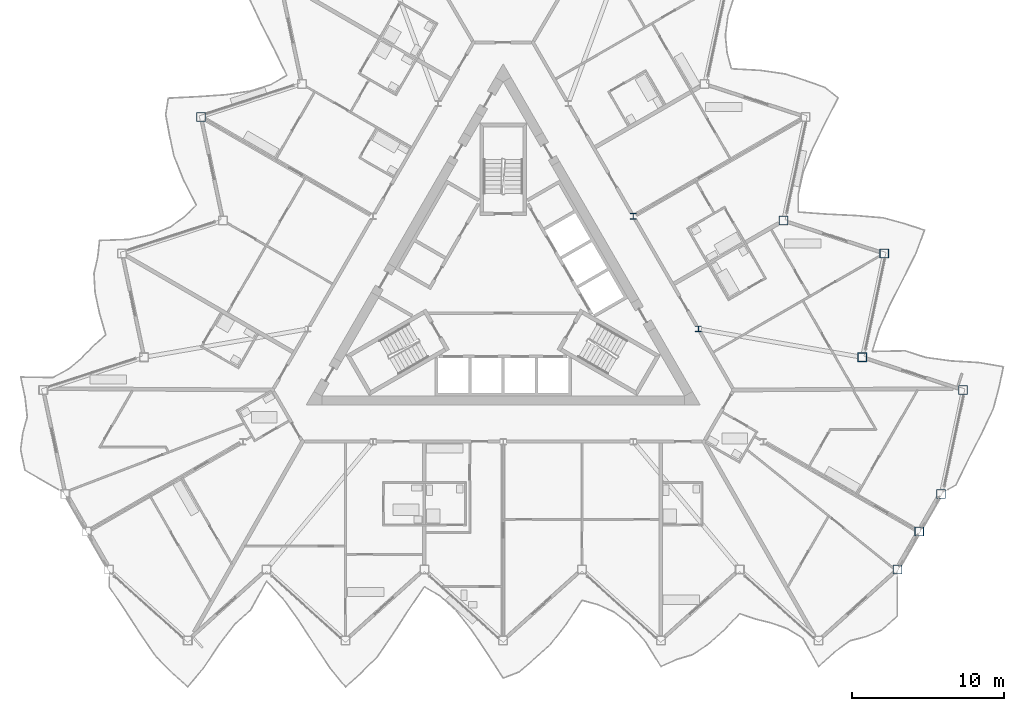
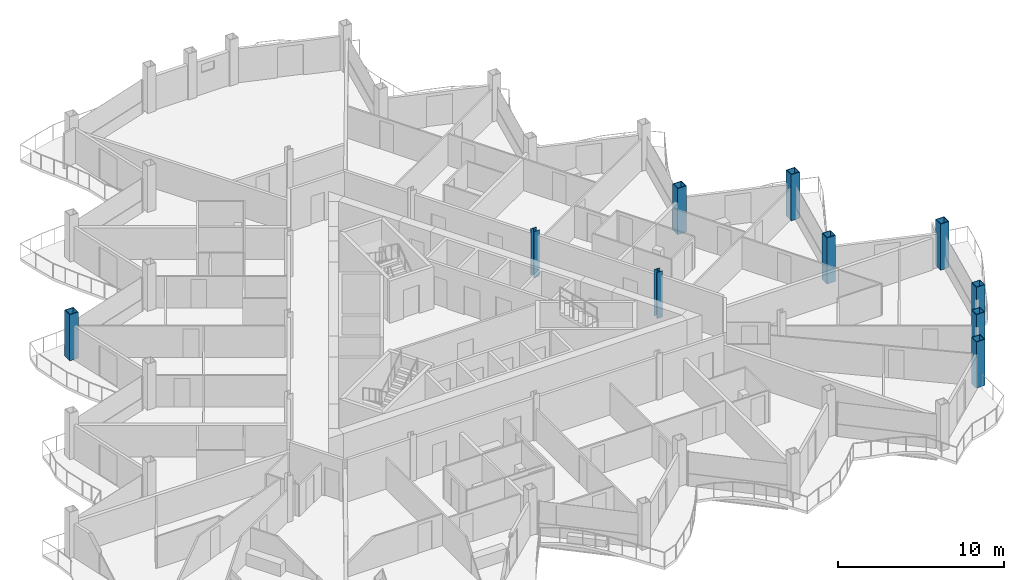
# One storey, part 2 of 26: 10 columns.
"""IFC4 building model written with IfcOpenShell, lengths in metres."""

from ifc_helpers import new_model, si_unit, direction, frame, origin, origin_2d, place, context, subcontext, project, spatial, hollow_rectangle, i_section, extrude, material, material_profile, profile_set, type_object, element, save


model = new_model("IFC4")

# Units and contexts
model_context = context("Model", 3, precision=1e-05, world=origin(), true_north=direction((0.0, 1.0)))
body_context = subcontext(model_context, "Body", "Model", "MODEL_VIEW")
ifc_project = project(units=[si_unit("LENGTHUNIT", "METRE"), si_unit("AREAUNIT", "SQUARE_METRE"), si_unit("VOLUMEUNIT", "CUBIC_METRE"), si_unit("PLANEANGLEUNIT", "RADIAN"), si_unit("MASSUNIT", "GRAM", prefix="KILO")], contexts=[model_context])

# Site, building, storey
site_placement = place(None, origin())
site = spatial("IfcSite", under=ifc_project, at=site_placement, CompositionType="ELEMENT")
building_placement = place(site_placement, origin())
building = spatial("IfcBuilding", under=site, at=building_placement, Name="Cormorant Prow Tower", CompositionType="ELEMENT")
storey_placement = place(building_placement, frame((0.0, 0.0, 342.60009765625)))
storey = spatial("IfcBuildingStorey", under=building, at=storey_placement, Name="L77", CompositionType="ELEMENT", Elevation=342.60009765625)

# Columns
ifc_material_1 = material(Name="Structural steel ASTM A572 Gr 50", Category="steel")
ifc_material_profile_1 = material_profile(ifc_material_1, hollow_rectangle(XDim=0.60009765625, YDim=0.60009765625, WallThickness=0.0400390625, at=origin_2d()), Name="Box 600x600x40")
ifc_profile_set_1 = profile_set([ifc_material_profile_1], Name="Structural steel ASTM A572 Gr 50")
column_type_1 = type_object("IfcColumnType", Name="Perimeter box column 600x600x40", PredefinedType="COLUMN", material=ifc_profile_set_1)
for number, where, z_axis, x_axis, name in (
    (1, (25.995361328125, -18.326904296875, 0.0), (0.0, 0.0, 1.0), (1.0, 0.0, 0.0), "Perimeter column C6 at ESE00 L77"),
    (2, (27.432373046875, -15.838134765625, 0.0), (0.0, 0.0, 1.0), (1.0, 0.0, 0.0), "Perimeter column C6 at ESE01 L77"),
    (3, (28.869140625, -13.349365234375, 0.0), (0.0, 0.0, 1.0), (1.0, 0.0, 0.0), "Perimeter column C6 at ENE00 L77"),
    (4, (30.32373046875, -6.506103515625, 0.0), (0.0, 0.0, 1.0), (1.0, 0.0, 0.0), "Perimeter column C6 at ENE01 L77"),
    (5, (23.670166015625, -4.34423828125, 0.0), (0.0, 0.0, 1.0), (1.0, 0.0, 0.0), "Perimeter column C6 at ENE02 L77"),
    (6, (25.124755859375, 2.4990234375, 0.0), (0.0, 0.0, 1.0), (1.0, 0.0, 0.0), "Perimeter column C6 at ENE03 L77"),
    (7, (18.470947265625, 4.660888671875, 0.0), (0.0, 0.0, 1.0), (1.0, 0.0, 0.0), "Perimeter column C6 at ENE04 L77"),
    (8, (-19.925537109375, 11.504150390625, 0.0), (0.0, 0.0, 1.0), (1.0, 0.0, 0.0), "Perimeter column C6 at WNW05 L77"),
):
    element("IfcColumn", number, at=place(storey_placement, frame(where, z_axis=z_axis, x_axis=x_axis)), inside=storey, type_object=column_type_1, Name=name, PredefinedType="COLUMN", context=body_context, shape_type="SweptSolid", body=[
        extrude(hollow_rectangle(XDim=0.60009765625, YDim=0.60009765625, WallThickness=0.0400390625, at=origin_2d()), origin(), (0.0, 0.0, 1.0), 3.39990234375),
    ])
ifc_material_2 = material(Name="Structural steel ASTM A992 Gr 50", Category="steel")
ifc_material_profile_2 = material_profile(ifc_material_2, i_section(OverallWidth=0.3955078125, OverallDepth=0.380615234375, WebThickness=0.018798828125, FlangeThickness=0.0302734375, at=origin_2d()), Name="W14x159")
ifc_profile_set_2 = profile_set([ifc_material_profile_2], Name="Structural steel ASTM A992 Gr 50")
column_type_2 = type_object("IfcColumnType", Name="Ring column W14x159", PredefinedType="COLUMN", material=ifc_profile_set_2)
for number, where, z_axis, x_axis, name in (
    (9, (12.86767578125, -2.476318359375, 0.0), (0.0, 0.0, 1.0), (1.0, 0.0, 0.0), "Ring column 10 L77"),
    (10, (8.578369140625, 4.952880859375, 0.0), (0.0, 0.0, 1.0), (1.0, 0.0, 0.0), "Ring column 11 L77"),
):
    element("IfcColumn", number, at=place(storey_placement, frame(where, z_axis=z_axis, x_axis=x_axis)), inside=storey, type_object=column_type_2, Name=name, PredefinedType="COLUMN", context=body_context, shape_type="SweptSolid", body=[
        extrude(i_section(OverallWidth=0.3955078125, OverallDepth=0.380615234375, WebThickness=0.018798828125, FlangeThickness=0.0302734375, at=origin_2d()), origin(), (0.0, 0.0, 1.0), 3.39990234375),
    ])

save(model, "model.ifc")
